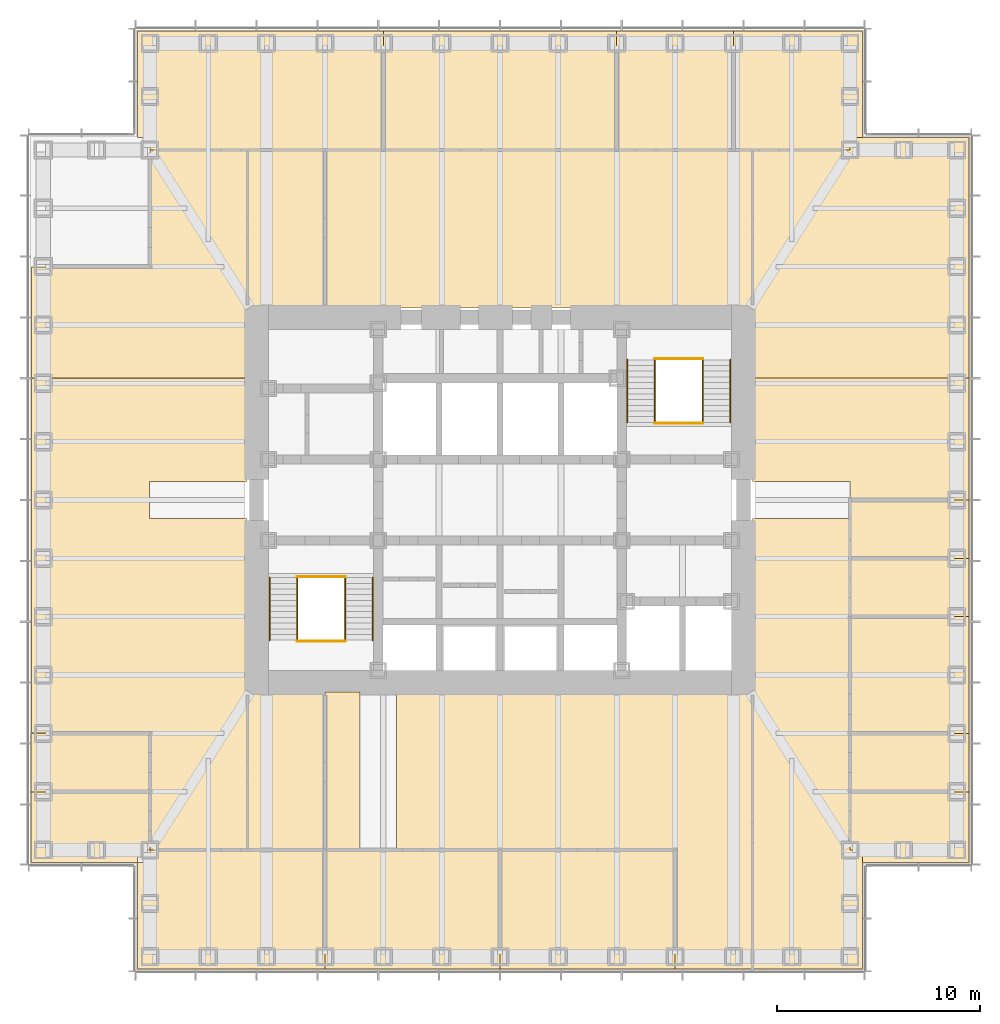
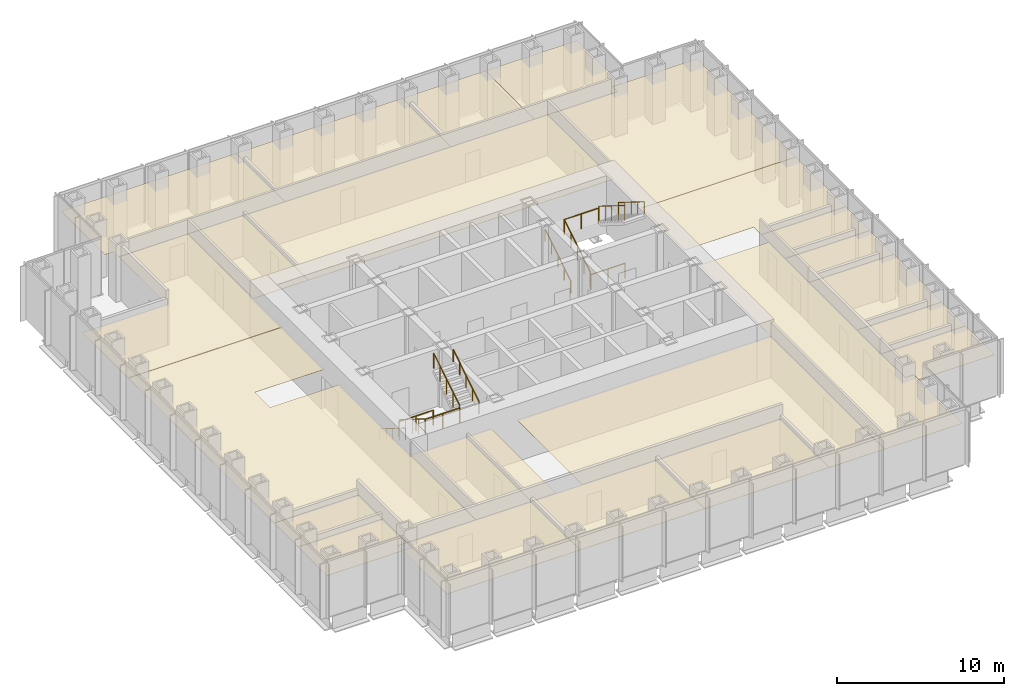
# One storey, part 17 of 17: 24 coverings, 12 railings.
"""IFC4 building model written with IfcOpenShell, lengths in metres."""

from ifc_helpers import new_model, si_unit, direction, frame, origin, origin_2d, place, context, subcontext, project, spatial, polyline, circle, outline, extrude, material, layer, layer_set, type_object, element, save


model = new_model("IFC4")

# Units and contexts
model_context = context("Model", 3, precision=1e-05, world=origin(), true_north=direction((0.0, 1.0)))
body_context = subcontext(model_context, "Body", "Model", "MODEL_VIEW")
ifc_project = project(units=[si_unit("LENGTHUNIT", "METRE"), si_unit("AREAUNIT", "SQUARE_METRE"), si_unit("VOLUMEUNIT", "CUBIC_METRE"), si_unit("PLANEANGLEUNIT", "RADIAN"), si_unit("MASSUNIT", "GRAM", prefix="KILO")], contexts=[model_context])

# Site, building, storey
site_placement = place(None, origin())
site = spatial("IfcSite", under=ifc_project, at=site_placement, CompositionType="ELEMENT")
building_placement = place(site_placement, origin())
building = spatial("IfcBuilding", under=site, at=building_placement, Name="Daluyong Arena Tower", CompositionType="ELEMENT")
storey_placement = place(building_placement, frame((0.0, 0.0, 166.89990234375)))
storey = spatial("IfcBuildingStorey", under=building, at=storey_placement, Name="L37", CompositionType="ELEMENT", Elevation=166.89990234375)

# Coverings
ifc_material_1 = material(Name="Mineral fibre ceiling tile", Category="gypsum board")
ifc_layer = layer(ifc_material_1, 0.02001953125)
ifc_layer_set = layer_set([ifc_layer], Name="Mineral fibre ceiling tile")
covering_type = type_object("IfcCoveringType", Name="Office ceiling", PredefinedType="CEILING", material=ifc_layer_set)
covering_1_placement = place(storey_placement, frame((0.0, 0.0, 2.900146484375)))
element("IfcCovering", 1, at=covering_1_placement, inside=storey, type_object=covering_type, Name="ceiling L37-01", PredefinedType="CEILING", context=body_context, shape_type="SweptSolid", body=[
    extrude(outline(polyline([(38.14990234375, 62.14990234375), (38.14990234375, 56.89990234375), (47.375, 56.89990234375), (47.375, 62.75), (38.75, 62.75), (38.75, 62.14990234375), (38.14990234375, 62.14990234375)])), origin(), (0.0, 0.0, 1.0), 0.02001953125),
])
covering_2_placement = place(storey_placement, frame((0.0, 0.0, 2.900146484375)))
element("IfcCovering", 2, at=covering_2_placement, inside=storey, type_object=covering_type, Name="ceiling L37-02", PredefinedType="CEILING", context=body_context, shape_type="SweptSolid", body=[
    extrude(outline(polyline([(47.375, 62.75), (47.375, 56.89990234375), (56.0, 56.89990234375), (56.0, 62.75), (47.375, 62.75)])), origin(), (0.0, 0.0, 1.0), 0.02001953125),
])
covering_3_placement = place(storey_placement, frame((0.0, 0.0, 2.900146484375)))
element("IfcCovering", 3, at=covering_3_placement, inside=storey, type_object=covering_type, Name="ceiling L37-03", PredefinedType="CEILING", context=body_context, shape_type="SweptSolid", body=[
    extrude(outline(polyline([(56.0, 62.75), (56.0, 56.89990234375), (64.625, 56.89990234375), (64.625, 62.75), (56.0, 62.75)])), origin(), (0.0, 0.0, 1.0), 0.02001953125),
])
covering_4_placement = place(storey_placement, frame((0.0, 0.0, 2.900146484375)))
element("IfcCovering", 4, at=covering_4_placement, inside=storey, type_object=covering_type, Name="ceiling L37-04", PredefinedType="CEILING", context=body_context, shape_type="SweptSolid", body=[
    extrude(outline(polyline([(73.85009765625, 62.14990234375), (79.10009765625, 62.14990234375), (79.10009765625, 65.625), (73.25, 65.625), (73.25, 62.75), (73.85009765625, 62.75), (73.85009765625, 62.14990234375)])), origin(), (0.0, 0.0, 1.0), 0.02001953125),
])
covering_5_placement = place(storey_placement, frame((0.0, 0.0, 2.900146484375)))
element("IfcCovering", 5, at=covering_5_placement, inside=storey, type_object=covering_type, Name="ceiling L37-05", PredefinedType="CEILING", context=body_context, shape_type="SweptSolid", body=[
    extrude(outline(polyline([(73.25, 65.625), (79.10009765625, 65.625), (79.10009765625, 68.5), (73.25, 68.5), (73.25, 65.625)])), origin(), (0.0, 0.0, 1.0), 0.02001953125),
])
covering_6_placement = place(storey_placement, frame((0.0, 0.0, 2.900146484375)))
element("IfcCovering", 6, at=covering_6_placement, inside=storey, type_object=covering_type, Name="ceiling L37-06", PredefinedType="CEILING", context=body_context, shape_type="SweptSolid", body=[
    extrude(outline(polyline([(73.25, 68.5), (79.10009765625, 68.5), (79.10009765625, 74.25), (73.25, 74.25), (73.25, 68.5)])), origin(), (0.0, 0.0, 1.0), 0.02001953125),
])
covering_7_placement = place(storey_placement, frame((0.0, 0.0, 2.900146484375)))
element("IfcCovering", 7, at=covering_7_placement, inside=storey, type_object=covering_type, Name="ceiling L37-07", PredefinedType="CEILING", context=body_context, shape_type="SweptSolid", body=[
    extrude(outline(polyline([(73.25, 74.25), (79.10009765625, 74.25), (79.10009765625, 77.125), (73.25, 77.125), (73.25, 74.25)])), origin(), (0.0, 0.0, 1.0), 0.02001953125),
])
covering_8_placement = place(storey_placement, frame((0.0, 0.0, 2.900146484375)))
element("IfcCovering", 8, at=covering_8_placement, inside=storey, type_object=covering_type, Name="ceiling L37-08", PredefinedType="CEILING", context=body_context, shape_type="SweptSolid", body=[
    extrude(outline(polyline([(73.25, 77.125), (79.10009765625, 77.125), (79.10009765625, 80.0), (73.25, 80.0), (73.25, 77.125)])), origin(), (0.0, 0.0, 1.0), 0.02001953125),
])
covering_9_placement = place(storey_placement, frame((0.0, 0.0, 2.900146484375)))
element("IfcCovering", 9, at=covering_9_placement, inside=storey, type_object=covering_type, Name="ceiling L37-09", PredefinedType="CEILING", context=body_context, shape_type="SweptSolid", body=[
    extrude(outline(polyline([(50.25, 97.25), (50.25, 103.10009765625), (38.14990234375, 103.10009765625), (38.14990234375, 97.85009765625), (38.75, 97.85009765625), (38.75, 97.25), (50.25, 97.25)])), origin(), (0.0, 0.0, 1.0), 0.02001953125),
])
covering_10_placement = place(storey_placement, frame((0.0, 0.0, 2.900146484375)))
element("IfcCovering", 10, at=covering_10_placement, inside=storey, type_object=covering_type, Name="ceiling L37-10", PredefinedType="CEILING", context=body_context, shape_type="SweptSolid", body=[
    extrude(outline(polyline([(61.75, 97.25), (61.75, 103.10009765625), (50.25, 103.10009765625), (50.25, 97.25), (61.75, 97.25)])), origin(), (0.0, 0.0, 1.0), 0.02001953125),
])
covering_11_placement = place(storey_placement, frame((0.0, 0.0, 2.900146484375)))
element("IfcCovering", 11, at=covering_11_placement, inside=storey, type_object=covering_type, Name="ceiling L37-11", PredefinedType="CEILING", context=body_context, shape_type="SweptSolid", body=[
    extrude(outline(polyline([(67.5, 97.25), (67.5, 103.10009765625), (61.75, 103.10009765625), (61.75, 97.25), (67.5, 97.25)])), origin(), (0.0, 0.0, 1.0), 0.02001953125),
])
covering_12_placement = place(storey_placement, frame((0.0, 0.0, 2.900146484375)))
element("IfcCovering", 12, at=covering_12_placement, inside=storey, type_object=covering_type, Name="ceiling L37-12", PredefinedType="CEILING", context=body_context, shape_type="SweptSolid", body=[
    extrude(outline(polyline([(67.5, 97.25), (73.25, 97.25), (73.25, 97.85009765625), (73.85009765625, 97.85009765625), (73.85009765625, 103.10009765625), (67.5, 103.10009765625), (67.5, 97.25)])), origin(), (0.0, 0.0, 1.0), 0.02001953125),
])
covering_13_placement = place(storey_placement, frame((0.0, 0.0, 2.900146484375)))
element("IfcCovering", 13, at=covering_13_placement, inside=storey, type_object=covering_type, Name="ceiling L37-13", PredefinedType="CEILING", context=body_context, shape_type="SweptSolid", body=[
    extrude(outline(polyline([(32.89990234375, 62.14990234375), (38.14990234375, 62.14990234375), (38.14990234375, 62.75), (38.75, 62.75), (38.75, 65.625), (32.89990234375, 65.625), (32.89990234375, 62.14990234375)])), origin(), (0.0, 0.0, 1.0), 0.02001953125),
])
covering_14_placement = place(storey_placement, frame((0.0, 0.0, 2.900146484375)))
element("IfcCovering", 14, at=covering_14_placement, inside=storey, type_object=covering_type, Name="ceiling L37-14", PredefinedType="CEILING", context=body_context, shape_type="SweptSolid", body=[
    extrude(outline(polyline([(38.75, 68.5), (32.89990234375, 68.5), (32.89990234375, 65.625), (38.75, 65.625), (38.75, 68.5)])), origin(), (0.0, 0.0, 1.0), 0.02001953125),
])
covering_15_placement = place(storey_placement, frame((0.0, 0.0, 2.900146484375)))
element("IfcCovering", 15, at=covering_15_placement, inside=storey, type_object=covering_type, Name="ceiling L37-19", PredefinedType="CEILING", context=body_context, shape_type="SweptSolid", body=[
    extrude(outline(polyline([(47.375, 70.550048828125), (43.550048828125, 70.550048828125), (43.550048828125, 62.75), (47.375, 62.75), (47.375, 70.550048828125)])), origin(), (0.0, 0.0, 1.0), 0.02001953125),
])
covering_16_placement = place(storey_placement, frame((0.0, 0.0, 2.900146484375)))
element("IfcCovering", 16, at=covering_16_placement, inside=storey, type_object=covering_type, Name="ceiling L37-20", PredefinedType="CEILING", context=body_context, shape_type="SweptSolid", body=[
    extrude(outline(polyline([(49.10009765625, 70.550048828125), (47.375, 70.550048828125), (47.375, 62.75), (49.10009765625, 62.75), (49.10009765625, 70.550048828125)])), origin(), (0.0, 0.0, 1.0), 0.02001953125),
])
covering_17_placement = place(storey_placement, frame((0.0, 0.0, 2.900146484375)))
element("IfcCovering", 17, at=covering_17_placement, inside=storey, type_object=covering_type, Name="ceiling L37-21", PredefinedType="CEILING", context=body_context, shape_type="SweptSolid", body=[
    extrude(outline(polyline([(64.625, 56.89990234375), (68.449951171875, 56.89990234375), (68.449951171875, 70.550048828125), (50.89990234375, 70.550048828125), (50.89990234375, 62.75), (64.625, 62.75), (64.625, 56.89990234375)])), origin(), (0.0, 0.0, 1.0), 0.02001953125),
])
covering_18_placement = place(storey_placement, frame((0.0, 0.0, 2.900146484375)))
element("IfcCovering", 18, at=covering_18_placement, inside=storey, type_object=covering_type, Name="ceiling L37-22", PredefinedType="CEILING", context=body_context, shape_type="SweptSolid", body=[
    extrude(outline(polyline([(43.550048828125, 89.449951171875), (47.375, 89.449951171875), (47.375, 97.25), (43.550048828125, 97.25), (43.550048828125, 89.449951171875)])), origin(), (0.0, 0.0, 1.0), 0.02001953125),
])
covering_19_placement = place(storey_placement, frame((0.0, 0.0, 2.900146484375)))
element("IfcCovering", 19, at=covering_19_placement, inside=storey, type_object=covering_type, Name="ceiling L37-23", PredefinedType="CEILING", context=body_context, shape_type="SweptSolid", body=[
    extrude(outline(polyline([(47.375, 97.25), (47.375, 89.449951171875), (68.449951171875, 89.449951171875), (68.449951171875, 97.25), (47.375, 97.25)])), origin(), (0.0, 0.0, 1.0), 0.02001953125),
])
covering_20_placement = place(storey_placement, frame((0.0, 0.0, 2.900146484375)))
element("IfcCovering", 20, at=covering_20_placement, inside=storey, type_object=covering_type, Name="ceiling L37-24", PredefinedType="CEILING", context=body_context, shape_type="SweptSolid", body=[
    extrude(outline(polyline([(38.760009765625, 62.760009765625), (43.5400390625, 62.760009765625), (43.5400390625, 79.090087890625), (38.739990234375, 79.090087890625), (38.739990234375, 80.909912109375), (43.5400390625, 80.909912109375), (43.5400390625, 85.989990234375), (32.909912109375, 85.989990234375), (32.909912109375, 68.510009765625), (38.760009765625, 68.510009765625), (38.760009765625, 62.760009765625)])), origin(), (0.0, 0.0, 1.0), 0.02001953125),
])
covering_21_placement = place(storey_placement, frame((0.0, 0.0, 2.900146484375)))
element("IfcCovering", 21, at=covering_21_placement, inside=storey, type_object=covering_type, Name="ceiling L37-25", PredefinedType="CEILING", context=body_context, shape_type="SweptSolid", body=[
    extrude(outline(polyline([(32.909912109375, 86.010009765625), (43.5400390625, 86.010009765625), (43.5400390625, 97.239990234375), (38.760009765625, 97.239990234375), (38.760009765625, 91.489990234375), (32.909912109375, 91.489990234375), (32.909912109375, 86.010009765625)])), origin(), (0.0, 0.0, 1.0), 0.02001953125),
])
covering_22_placement = place(storey_placement, frame((0.0, 0.0, 2.900146484375)))
element("IfcCovering", 22, at=covering_22_placement, inside=storey, type_object=covering_type, Name="ceiling L37-26", PredefinedType="CEILING", context=body_context, shape_type="SweptSolid", body=[
    extrude(outline(polyline([(79.10009765625, 80.0), (79.10009765625, 86.0), (68.449951171875, 86.0), (68.449951171875, 80.89990234375), (73.25, 80.89990234375), (73.25, 80.0), (79.10009765625, 80.0)])), origin(), (0.0, 0.0, 1.0), 0.02001953125),
])
covering_23_placement = place(storey_placement, frame((0.0, 0.0, 2.900146484375)))
element("IfcCovering", 23, at=covering_23_placement, inside=storey, type_object=covering_type, Name="ceiling L37-27", PredefinedType="CEILING", context=body_context, shape_type="SweptSolid", body=[
    extrude(outline(polyline([(68.449951171875, 79.10009765625), (68.449951171875, 56.89990234375), (73.85009765625, 56.89990234375), (73.85009765625, 62.75), (73.25, 62.75), (73.25, 79.10009765625), (68.449951171875, 79.10009765625)])), origin(), (0.0, 0.0, 1.0), 0.02001953125),
])
covering_24_placement = place(storey_placement, frame((0.0, 0.0, 2.900146484375)))
element("IfcCovering", 24, at=covering_24_placement, inside=storey, type_object=covering_type, Name="ceiling L37-28", PredefinedType="CEILING", context=body_context, shape_type="SweptSolid", body=[
    extrude(outline(polyline([(73.25, 97.25), (68.449951171875, 97.25), (68.449951171875, 86.0), (79.10009765625, 86.0), (79.10009765625, 97.85009765625), (73.25, 97.85009765625), (73.25, 97.25)])), origin(), (0.0, 0.0, 1.0), 0.02001953125),
])

# Railings
ifc_material_2 = material(Name="Stainless steel handrail", Category="steel")
railing_type_1 = type_object("IfcRailingType", Name="Stair handrail", PredefinedType="HANDRAIL", material=ifc_material_2)
railing_1_placement = place(storey_placement, frame((44.64990234375, 76.175048828125, 0.175048828125)))
element("IfcRailing", 25, at=railing_1_placement, inside=storey, type_object=railing_type_1, Name="exit stair A handrail L37", PredefinedType="HANDRAIL", context=body_context, shape_type="SweptSolid", body=[
    extrude(circle(Radius=0.02392578125, at=origin_2d()), frame((0.0, 0.0, 0.8759765625), z_axis=(0.0, -0.847998304005, 0.529998940003), x_axis=(1.0, 0.0, 0.0)), (0.0, 0.0, 1.0), 3.632080078125),
    extrude(circle(Radius=0.02099609375, at=origin_2d()), origin(), (0.0, 0.0, 1.0), 0.851806640625),
    extrude(circle(Radius=0.02099609375, at=origin_2d()), frame((0.0, -0.77001953125, 0.481201171875)), (0.0, 0.0, 1.0), 0.851806640625),
    extrude(circle(Radius=0.02099609375, at=origin_2d()), frame((0.0, -1.5400390625, 0.96240234375)), (0.0, 0.0, 1.0), 0.851806640625),
    extrude(circle(Radius=0.02099609375, at=origin_2d()), frame((0.0, -2.31005859375, 1.44384765625)), (0.0, 0.0, 1.0), 0.851806640625),
    extrude(circle(Radius=0.02099609375, at=origin_2d()), frame((0.0, -3.080078125, 1.925048828125)), (0.0, 0.0, 1.0), 0.851806640625),
])
for number, where, name in (
    (26, (49.72509765625, 73.094970703125, 2.275146484375), "exit stair A handrail L37"),
    (27, (62.27490234375, 83.824951171875, 0.175048828125), "exit stair B handrail L37"),
):
    element("IfcRailing", number, at=place(storey_placement, frame(where)), inside=storey, type_object=railing_type_1, Name=name, PredefinedType="HANDRAIL", context=body_context, shape_type="SweptSolid", body=[
        extrude(circle(Radius=0.02392578125, at=origin_2d()), frame((0.0, 0.0, 0.8759765625), z_axis=(0.0, 0.847998304005, 0.529998940003), x_axis=(-1.0, 0.0, 0.0)), (0.0, 0.0, 1.0), 3.632080078125),
        extrude(circle(Radius=0.02099609375, at=origin_2d()), origin(), (0.0, 0.0, 1.0), 0.851806640625),
        extrude(circle(Radius=0.02099609375, at=origin_2d()), frame((0.0, 0.77001953125, 0.481201171875)), (0.0, 0.0, 1.0), 0.851806640625),
        extrude(circle(Radius=0.02099609375, at=origin_2d()), frame((0.0, 1.5400390625, 0.96240234375)), (0.0, 0.0, 1.0), 0.851806640625),
        extrude(circle(Radius=0.02099609375, at=origin_2d()), frame((0.0, 2.31005859375, 1.44384765625)), (0.0, 0.0, 1.0), 0.851806640625),
        extrude(circle(Radius=0.02099609375, at=origin_2d()), frame((0.0, 3.080078125, 1.925048828125)), (0.0, 0.0, 1.0), 0.851806640625),
    ])
railing_2_placement = place(storey_placement, frame((67.35009765625, 86.905029296875, 2.275146484375)))
element("IfcRailing", 28, at=railing_2_placement, inside=storey, type_object=railing_type_1, Name="exit stair B handrail L37", PredefinedType="HANDRAIL", context=body_context, shape_type="SweptSolid", body=[
    extrude(circle(Radius=0.02392578125, at=origin_2d()), frame((0.0, 0.0, 0.8759765625), z_axis=(0.0, -0.847998304005, 0.529998940003), x_axis=(1.0, 0.0, 0.0)), (0.0, 0.0, 1.0), 3.632080078125),
    extrude(circle(Radius=0.02099609375, at=origin_2d()), origin(), (0.0, 0.0, 1.0), 0.851806640625),
    extrude(circle(Radius=0.02099609375, at=origin_2d()), frame((0.0, -0.77001953125, 0.481201171875)), (0.0, 0.0, 1.0), 0.851806640625),
    extrude(circle(Radius=0.02099609375, at=origin_2d()), frame((0.0, -1.5400390625, 0.96240234375)), (0.0, 0.0, 1.0), 0.851806640625),
    extrude(circle(Radius=0.02099609375, at=origin_2d()), frame((0.0, -2.31005859375, 1.44384765625)), (0.0, 0.0, 1.0), 0.851806640625),
    extrude(circle(Radius=0.02099609375, at=origin_2d()), frame((0.0, -3.080078125, 1.925048828125)), (0.0, 0.0, 1.0), 0.851806640625),
])
ifc_material_3 = material(Name="Steel balustrade", Category="steel")
railing_type_2 = type_object("IfcRailingType", Name="Stair well guard 1100", PredefinedType="GUARDRAIL", material=ifc_material_3)
railing_3_placement = place(storey_placement, frame((46.0, 76.175048828125, 0.175048828125)))
element("IfcRailing", 29, at=railing_3_placement, inside=storey, type_object=railing_type_2, Name="exit stair A well guard L37", PredefinedType="GUARDRAIL", context=body_context, shape_type="SweptSolid", body=[
    extrude(circle(Radius=0.02392578125, at=origin_2d()), frame((0.0, 0.0, 1.076171875), z_axis=(0.0, -0.847998304005, 0.529998940003), x_axis=(1.0, 0.0, 0.0)), (0.0, 0.0, 1.0), 3.632080078125),
    extrude(circle(Radius=0.02099609375, at=origin_2d()), origin(), (0.0, 0.0, 1.0), 1.052001953125),
    extrude(circle(Radius=0.02099609375, at=origin_2d()), frame((0.0, -0.77001953125, 0.481201171875)), (0.0, 0.0, 1.0), 1.052001953125),
    extrude(circle(Radius=0.02099609375, at=origin_2d()), frame((0.0, -1.5400390625, 0.96240234375)), (0.0, 0.0, 1.0), 1.052001953125),
    extrude(circle(Radius=0.02099609375, at=origin_2d()), frame((0.0, -2.31005859375, 1.44384765625)), (0.0, 0.0, 1.0), 1.052001953125),
    extrude(circle(Radius=0.02099609375, at=origin_2d()), frame((0.0, -3.080078125, 1.925048828125)), (0.0, 0.0, 1.0), 1.052001953125),
])
railing_4_placement = place(storey_placement, frame((48.375, 73.094970703125, 2.275146484375)))
element("IfcRailing", 30, at=railing_4_placement, inside=storey, type_object=railing_type_2, Name="exit stair A well guard L37", PredefinedType="GUARDRAIL", context=body_context, shape_type="SweptSolid", body=[
    extrude(circle(Radius=0.02392578125, at=origin_2d()), frame((0.0, 0.0, 1.076171875), z_axis=(0.0, 0.847998304005, 0.529998940003), x_axis=(-1.0, 0.0, 0.0)), (0.0, 0.0, 1.0), 3.632080078125),
    extrude(circle(Radius=0.02099609375, at=origin_2d()), origin(), (0.0, 0.0, 1.0), 1.052001953125),
    extrude(circle(Radius=0.02099609375, at=origin_2d()), frame((0.0, 0.77001953125, 0.481201171875)), (0.0, 0.0, 1.0), 1.052001953125),
    extrude(circle(Radius=0.02099609375, at=origin_2d()), frame((0.0, 1.5400390625, 0.96240234375)), (0.0, 0.0, 1.0), 1.052001953125),
    extrude(circle(Radius=0.02099609375, at=origin_2d()), frame((0.0, 2.31005859375, 1.44384765625)), (0.0, 0.0, 1.0), 1.052001953125),
    extrude(circle(Radius=0.02099609375, at=origin_2d()), frame((0.0, 3.080078125, 1.925048828125)), (0.0, 0.0, 1.0), 1.052001953125),
])
for number, where, name in (
    (31, (46.0, 73.044921875, 2.10009765625), "exit stair A landing guard L37"),
    (32, (46.0, 76.22509765625, 0.0), "exit stair A floor landing guard L37"),
):
    element("IfcRailing", number, at=place(storey_placement, frame(where)), inside=storey, type_object=railing_type_2, Name=name, PredefinedType="GUARDRAIL", context=body_context, shape_type="SweptSolid", body=[
        extrude(circle(Radius=0.02392578125, at=origin_2d()), frame((0.0, 0.0, 1.076171875), z_axis=(1.0, 0.0, 0.0), x_axis=(0.0, 1.0, 0.0)), (0.0, 0.0, 1.0), 2.375),
        extrude(circle(Radius=0.02099609375, at=origin_2d()), origin(), (0.0, 0.0, 1.0), 1.052001953125),
        extrude(circle(Radius=0.02099609375, at=origin_2d()), frame((1.1875, 0.0, 0.0)), (0.0, 0.0, 1.0), 1.052001953125),
        extrude(circle(Radius=0.02099609375, at=origin_2d()), frame((2.375, 0.0, 0.0)), (0.0, 0.0, 1.0), 1.052001953125),
    ])
railing_5_placement = place(storey_placement, frame((63.625, 83.824951171875, 0.175048828125)))
element("IfcRailing", 33, at=railing_5_placement, inside=storey, type_object=railing_type_2, Name="exit stair B well guard L37", PredefinedType="GUARDRAIL", context=body_context, shape_type="SweptSolid", body=[
    extrude(circle(Radius=0.02392578125, at=origin_2d()), frame((0.0, 0.0, 1.076171875), z_axis=(0.0, 0.847998304005, 0.529998940003), x_axis=(-1.0, 0.0, 0.0)), (0.0, 0.0, 1.0), 3.632080078125),
    extrude(circle(Radius=0.02099609375, at=origin_2d()), origin(), (0.0, 0.0, 1.0), 1.052001953125),
    extrude(circle(Radius=0.02099609375, at=origin_2d()), frame((0.0, 0.77001953125, 0.481201171875)), (0.0, 0.0, 1.0), 1.052001953125),
    extrude(circle(Radius=0.02099609375, at=origin_2d()), frame((0.0, 1.5400390625, 0.96240234375)), (0.0, 0.0, 1.0), 1.052001953125),
    extrude(circle(Radius=0.02099609375, at=origin_2d()), frame((0.0, 2.31005859375, 1.44384765625)), (0.0, 0.0, 1.0), 1.052001953125),
    extrude(circle(Radius=0.02099609375, at=origin_2d()), frame((0.0, 3.080078125, 1.925048828125)), (0.0, 0.0, 1.0), 1.052001953125),
])
railing_6_placement = place(storey_placement, frame((66.0, 86.905029296875, 2.275146484375)))
element("IfcRailing", 34, at=railing_6_placement, inside=storey, type_object=railing_type_2, Name="exit stair B well guard L37", PredefinedType="GUARDRAIL", context=body_context, shape_type="SweptSolid", body=[
    extrude(circle(Radius=0.02392578125, at=origin_2d()), frame((0.0, 0.0, 1.076171875), z_axis=(0.0, -0.847998304005, 0.529998940003), x_axis=(1.0, 0.0, 0.0)), (0.0, 0.0, 1.0), 3.632080078125),
    extrude(circle(Radius=0.02099609375, at=origin_2d()), origin(), (0.0, 0.0, 1.0), 1.052001953125),
    extrude(circle(Radius=0.02099609375, at=origin_2d()), frame((0.0, -0.77001953125, 0.481201171875)), (0.0, 0.0, 1.0), 1.052001953125),
    extrude(circle(Radius=0.02099609375, at=origin_2d()), frame((0.0, -1.5400390625, 0.96240234375)), (0.0, 0.0, 1.0), 1.052001953125),
    extrude(circle(Radius=0.02099609375, at=origin_2d()), frame((0.0, -2.31005859375, 1.44384765625)), (0.0, 0.0, 1.0), 1.052001953125),
    extrude(circle(Radius=0.02099609375, at=origin_2d()), frame((0.0, -3.080078125, 1.925048828125)), (0.0, 0.0, 1.0), 1.052001953125),
])
for number, where, name in (
    (35, (63.625, 86.955078125, 2.10009765625), "exit stair B landing guard L37"),
    (36, (63.625, 83.77490234375, 0.0), "exit stair B floor landing guard L37"),
):
    element("IfcRailing", number, at=place(storey_placement, frame(where)), inside=storey, type_object=railing_type_2, Name=name, PredefinedType="GUARDRAIL", context=body_context, shape_type="SweptSolid", body=[
        extrude(circle(Radius=0.02392578125, at=origin_2d()), frame((0.0, 0.0, 1.076171875), z_axis=(1.0, 0.0, 0.0), x_axis=(0.0, 1.0, 0.0)), (0.0, 0.0, 1.0), 2.375),
        extrude(circle(Radius=0.02099609375, at=origin_2d()), origin(), (0.0, 0.0, 1.0), 1.052001953125),
        extrude(circle(Radius=0.02099609375, at=origin_2d()), frame((1.1875, 0.0, 0.0)), (0.0, 0.0, 1.0), 1.052001953125),
        extrude(circle(Radius=0.02099609375, at=origin_2d()), frame((2.375, 0.0, 0.0)), (0.0, 0.0, 1.0), 1.052001953125),
    ])

save(model, "model.ifc")
